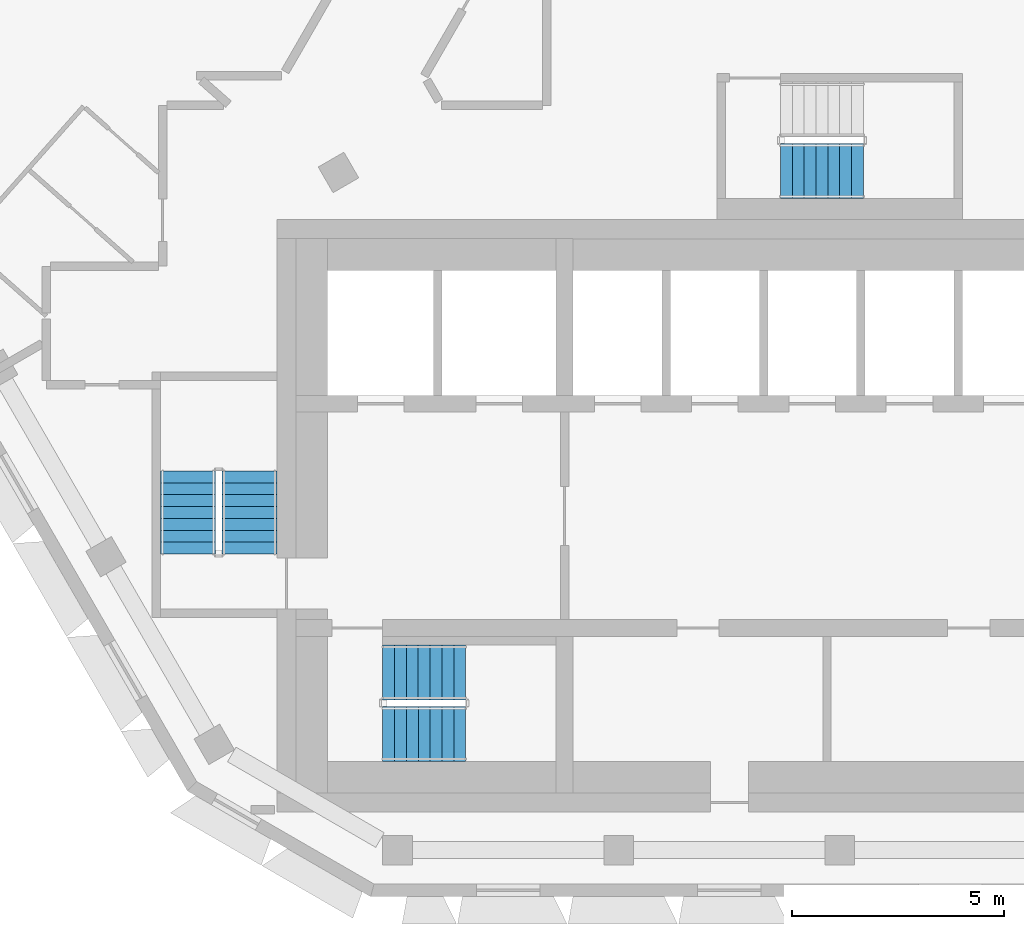
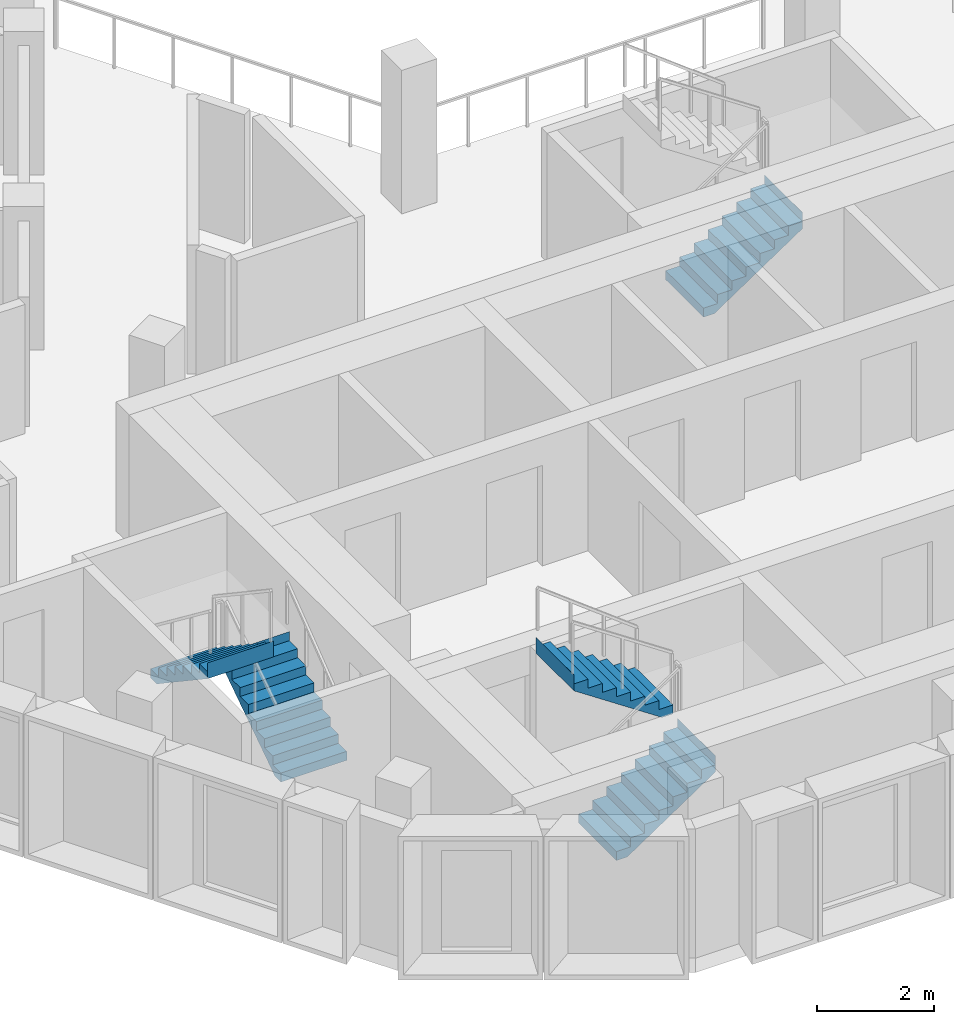
# One storey, part 8 of 14: 5 stair flights, 3 elements without a shape of their own.
"""IFC4 building model written with IfcOpenShell, lengths in metres."""

import ifcopenshell
import ifcopenshell.guid

model = None  # the IFC model being written
_history = None  # IfcOwnerHistory: only IFC2X3 demands one
_inside = {}  # id of a spatial element -> (the spatial element, [elements in it])
_under = {}  # id of a project, library or spatial element -> (it, [spatial elements below it])
_declared = {}  # id of a project -> (the project, [libraries it declares])
_typed = {}  # id of a type object -> (the type object, [elements of that type])
_made_of = {}  # id of a material, layer set ... -> (it, [elements and type objects made of it])


def new_model(schema):
    """Start an empty IFC model of exactly this schema.

    Asked for "IFC4X3", IfcOpenShell would pick the latest addendum, in which some entities
    have other attributes; the version numbers below select the first issue.
    IFC2X3 requires an IfcOwnerHistory on every rooted entity: one is made here for all.
    """
    global model, _history
    if schema == "IFC4X3":
        model = ifcopenshell.file(schema_version=(4, 3, 0, 0))
    else:
        model = ifcopenshell.file(schema=schema)
    _inside.clear()
    _under.clear()
    _declared.clear()
    _typed.clear()
    _made_of.clear()
    _history = None
    if model.schema == "IFC2X3":
        org = make("IfcOrganization", Name="unknown")
        user = make(
            "IfcPersonAndOrganization",
            ThePerson=make("IfcPerson", FamilyName="unknown"),
            TheOrganization=org,
        )
        app = make(
            "IfcApplication",
            ApplicationDeveloper=org,
            Version="unknown",
            ApplicationFullName="unknown",
            ApplicationIdentifier="unknown",
        )
        _history = make(
            "IfcOwnerHistory",
            OwningUser=user,
            OwningApplication=app,
            ChangeAction="ADDED",
            CreationDate=0,
        )
    return model


def make(cls, **values):
    """One entity of the class cls with the attributes given. An attribute that is None is left unset."""
    return model.create_entity(
        cls, **{name: value for name, value in values.items() if value is not None}
    )


def rooted(cls, **values):
    """An entity with a GlobalId (a new one), such as an element, a storey or a relation."""
    return make(cls, GlobalId=ifcopenshell.guid.new(), OwnerHistory=_history, **values)


def si_unit(unit_type, name, prefix=None):
    """IfcSIUnit, for example si_unit("LENGTHUNIT", "METRE", prefix="MILLI")."""
    return make("IfcSIUnit", UnitType=unit_type, Prefix=prefix, Name=name)


def assignment(units):
    """IfcUnitAssignment: the units of a project."""
    return None if units is None else make("IfcUnitAssignment", Units=units)


def point(xyz):
    """IfcCartesianPoint."""
    return None if xyz is None else make("IfcCartesianPoint", Coordinates=xyz)


def direction(xyz):
    """IfcDirection."""
    return None if xyz is None else make("IfcDirection", DirectionRatios=xyz)


def frame(location, z_axis=None, x_axis=None):
    """IfcAxis2Placement3D, a coordinate frame: its origin and axes. An axis left out is left unset."""
    return make(
        "IfcAxis2Placement3D",
        Location=point(location),
        Axis=direction(z_axis),
        RefDirection=direction(x_axis),
    )


def origin():
    """The frame at (0, 0, 0) with its axes left unset."""
    return frame((0.0, 0.0, 0.0))


def place(relative_to, where):
    """IfcLocalPlacement: puts the frame where relative to a parent placement (None: the world)."""
    return make(
        "IfcLocalPlacement", PlacementRelTo=relative_to, RelativePlacement=where
    )


def context(
    kind, dimensions, precision=None, world=None, true_north=None, identifier=None
):
    """IfcGeometricRepresentationContext, for example the 3D "Model" context."""
    return make(
        "IfcGeometricRepresentationContext",
        ContextIdentifier=identifier,
        ContextType=kind,
        CoordinateSpaceDimension=dimensions,
        Precision=precision,
        WorldCoordinateSystem=world,
        TrueNorth=true_north,
    )


def subcontext(parent, identifier, kind, view, scale=None):
    """IfcGeometricRepresentationSubContext, for example "Body" below "Model"."""
    return make(
        "IfcGeometricRepresentationSubContext",
        ContextIdentifier=identifier,
        ContextType=kind,
        ParentContext=parent,
        TargetScale=scale,
        TargetView=view,
    )


def project(units=None, contexts=None):
    """IfcProject with its units and contexts."""
    return rooted(
        "IfcProject",
        Name="project",
        RepresentationContexts=contexts,
        UnitsInContext=assignment(units),
    )


def spatial(cls, under=None, at=None, **own):
    """A site, building, storey or space (cls), placed at a placement, below another one or the project."""
    s = rooted(cls, ObjectPlacement=at, **own)
    if under is not None:
        _under.setdefault(under.id(), (under, []))[1].append(s)
    return s


def point_list(points):
    """IfcCartesianPointList2D or 3D."""
    cls = (
        "IfcCartesianPointList2D" if len(points[0]) == 2 else "IfcCartesianPointList3D"
    )
    return make(cls, CoordList=points)


def triangles(points, corners, closed=None, point_numbers=None):
    """IfcTriangulatedFaceSet: each triangle names its three corners, points numbered from 1."""
    return make(
        "IfcTriangulatedFaceSet",
        Coordinates=point_list(points),
        Closed=closed,
        CoordIndex=corners,
        PnIndex=point_numbers,
    )


def shape(context_of_items, identifier, shape_type, items):
    """IfcShapeRepresentation: the items that make up one representation, for example the "Body"."""
    return make(
        "IfcShapeRepresentation",
        ContextOfItems=context_of_items,
        RepresentationIdentifier=identifier,
        RepresentationType=shape_type,
        Items=items,
    )


def material(Name=None, Category=None):
    """IfcMaterial."""
    return make("IfcMaterial", Name=Name, Category=Category)


def made_of(thing, what):
    """Note that an element or type object is made of a material, layer set ...; save() writes the relation."""
    if what is not None:
        _made_of.setdefault(what.id(), (what, []))[1].append(thing)
    return thing


def type_object(cls, material=None, **own):
    """A type object (cls), such as IfcWallType, which elements share."""
    return made_of(rooted(cls, **own), material)


def element(
    cls,
    number,
    at=None,
    inside=None,
    cuts=None,
    type_object=None,
    material=None,
    context=None,
    identifier="Body",
    shape_type=None,
    held_by="IfcProductDefinitionShape",
    body=None,
    shapes=None,
    **own,
):
    """One element of the class cls, such as IfcWall. Its Tag is "e" and its number.

    at: its placement. inside: the storey or other place that contains it. cuts: it is an
    opening in that element (IfcRelVoidsElement). A single representation is given by context,
    identifier, shape_type and body (its items); several are given by shapes. held_by: the class
    of the entity that holds the representations. save() writes the other relations.
    """
    e = rooted(cls, Tag="e%d" % number, ObjectPlacement=at, **own)
    if body is not None:
        shapes = [shape(context, identifier, shape_type, body)]
    if shapes is not None:
        e.Representation = make(held_by, Representations=shapes)
    if inside is not None:
        _inside.setdefault(inside.id(), (inside, []))[1].append(e)
    if cuts is not None:
        rooted(
            "IfcRelVoidsElement", RelatingBuildingElement=cuts, RelatedOpeningElement=e
        )
    if type_object is not None:
        _typed.setdefault(type_object.id(), (type_object, []))[1].append(e)
    return made_of(e, material)


def aggregate(whole, parts):
    """IfcRelAggregates: a whole, such as a stair, and the parts it consists of."""
    return rooted("IfcRelAggregates", RelatingObject=whole, RelatedObjects=parts)


def save(model, path):
    """Write the relations noted so far, then the file.

    IfcRelAggregates (storeys below a building ...), IfcRelContainedInSpatialStructure (elements
    in a storey), IfcRelDefinesByType, IfcRelAssociatesMaterial and IfcRelDeclares: one each for
    every whole, place, type object, material and project.
    """
    for whole, parts in _under.values():
        aggregate(whole, parts)
    for where, things in _inside.values():
        rooted(
            "IfcRelContainedInSpatialStructure",
            RelatedElements=things,
            RelatingStructure=where,
        )
    for kind, things in _typed.values():
        rooted("IfcRelDefinesByType", RelatedObjects=things, RelatingType=kind)
    for what, things in _made_of.values():
        rooted("IfcRelAssociatesMaterial", RelatedObjects=things, RelatingMaterial=what)
    for by, libraries in _declared.values():
        rooted("IfcRelDeclares", RelatingContext=by, RelatedDefinitions=libraries)
    model.write(path)


model = new_model("IFC4")

# Units and contexts
model_context = context("Model", 3, precision=1e-05, world=origin(), true_north=direction((0.0, 1.0)))
body_context = subcontext(model_context, "Body", "Model", "MODEL_VIEW")
ifc_project = project(units=[si_unit("LENGTHUNIT", "METRE"), si_unit("AREAUNIT", "SQUARE_METRE"), si_unit("VOLUMEUNIT", "CUBIC_METRE"), si_unit("PLANEANGLEUNIT", "RADIAN"), si_unit("MASSUNIT", "GRAM", prefix="KILO")], contexts=[model_context])

# Site, building, storey
site_placement = place(None, origin())
site = spatial("IfcSite", under=ifc_project, at=site_placement, CompositionType="ELEMENT")
building_placement = place(site_placement, origin())
building = spatial("IfcBuilding", under=site, at=building_placement, Name="Beryl Residences", CompositionType="ELEMENT")
storey_placement = place(building_placement, frame((0.0, 0.0, 235.800048828125)))
storey = spatial("IfcBuildingStorey", under=building, at=storey_placement, Name="L73", CompositionType="ELEMENT", Elevation=235.800048828125)

# Stair, stair flights
ifc_material_1 = material(Name="Concrete C40/50", Category="concrete")
stair_type = type_object("IfcStairType", Name="ST1 protected exit stair, half-turn, 1300 mm flights", PredefinedType="HALF_TURN_STAIR", material=ifc_material_1)
stair_1_placement = place(storey_placement, origin())
stair_1 = element("IfcStair", 1, at=stair_1_placement, inside=storey, type_object=stair_type, Name="L73 PROTECTED EXIT STAIR ST-1", PredefinedType="HALF_TURN_STAIR")
ifc_material_2 = material(Name="Concrete C40/50", Category="concrete")
stair_flight_type = type_object("IfcStairFlightType", Name="SF1 stair flight 1300 mm", PredefinedType="STRAIGHT", material=ifc_material_2)
stair_flight_1_placement = place(storey_placement, frame((-10.800048828125, -17.14990234375, 0.0), z_axis=(0.0, 0.0, 1.0), x_axis=(1.0, 0.0, 0.0)))
stair_flight_1 = element("IfcStairFlight", 2, at=stair_flight_1_placement, type_object=stair_flight_type, Name="ST-1 flight 1", NumberOfRisers=8, NumberOfTreads=7, PredefinedType="STRAIGHT", RiserHeight=0.1875, TreadLength=0.28, context=body_context, shape_type="Tessellation", body=[
    triangles([(0.0, -0.64990234375, 0.0), (0.0, -0.324951171875, 0.0), (0.0, 0.0, 0.0), (0.0, 0.324951171875, 0.0), (0.0, 0.64990234375, 0.0), (0.0, -0.64990234375, 0.1875), (0.0, -0.324951171875, 0.1875), (0.0, 0.0, 0.1875), (0.0, 0.324951171875, 0.1875), (0.0, 0.64990234375, 0.1875), (0.280029296875, -0.64990234375, 0.1875), (0.280029296875, -0.324951171875, 0.1875), (0.280029296875, 0.0, 0.1875), (0.280029296875, 0.324951171875, 0.1875), (0.280029296875, 0.64990234375, 0.1875), (0.280029296875, -0.64990234375, 0.375), (0.280029296875, -0.324951171875, 0.375), (0.280029296875, 0.0, 0.375), (0.280029296875, 0.324951171875, 0.375), (0.280029296875, 0.64990234375, 0.375), (0.56005859375, -0.64990234375, 0.375), (0.56005859375, -0.324951171875, 0.375), (0.56005859375, 0.0, 0.375), (0.56005859375, 0.324951171875, 0.375), (0.56005859375, 0.64990234375, 0.375), (0.56005859375, -0.64990234375, 0.5625), (0.56005859375, -0.324951171875, 0.5625), (0.56005859375, 0.0, 0.5625), (0.56005859375, 0.324951171875, 0.5625), (0.56005859375, 0.64990234375, 0.5625), (0.840087890625, -0.64990234375, 0.5625), (0.840087890625, -0.324951171875, 0.5625), (0.840087890625, 0.0, 0.5625), (0.840087890625, 0.324951171875, 0.5625), (0.840087890625, 0.64990234375, 0.5625), (0.840087890625, -0.64990234375, 0.75), (0.840087890625, -0.324951171875, 0.75), (0.840087890625, 0.0, 0.75), (0.840087890625, 0.324951171875, 0.75), (0.840087890625, 0.64990234375, 0.75), (1.1201171875, -0.64990234375, 0.75), (1.1201171875, -0.324951171875, 0.75), (1.1201171875, 0.0, 0.75), (1.1201171875, 0.324951171875, 0.75), (1.1201171875, 0.64990234375, 0.75), (1.1201171875, -0.64990234375, 0.9375), (1.1201171875, -0.324951171875, 0.9375), (1.1201171875, 0.0, 0.9375), (1.1201171875, 0.324951171875, 0.9375), (1.1201171875, 0.64990234375, 0.9375), (1.39990234375, -0.64990234375, 0.9375), (1.39990234375, -0.324951171875, 0.9375), (1.39990234375, 0.0, 0.9375), (1.39990234375, 0.324951171875, 0.9375), (1.39990234375, 0.64990234375, 0.9375), (1.39990234375, -0.64990234375, 1.125), (1.39990234375, -0.324951171875, 1.125), (1.39990234375, 0.0, 1.125), (1.39990234375, 0.324951171875, 1.125), (1.39990234375, 0.64990234375, 1.125), (1.679931640625, -0.64990234375, 1.125), (1.679931640625, -0.324951171875, 1.125), (1.679931640625, 0.0, 1.125), (1.679931640625, 0.324951171875, 1.125), (1.679931640625, 0.64990234375, 1.125), (1.679931640625, -0.64990234375, 1.3125), (1.679931640625, -0.324951171875, 1.3125), (1.679931640625, 0.0, 1.3125), (1.679931640625, 0.324951171875, 1.3125), (1.679931640625, 0.64990234375, 1.3125), (1.9599609375, -0.64990234375, 1.3125), (1.9599609375, -0.324951171875, 1.3125), (1.9599609375, 0.0, 1.3125), (1.9599609375, 0.324951171875, 1.3125), (1.9599609375, 0.64990234375, 1.3125), (1.9599609375, -0.64990234375, 1.5), (1.9599609375, -0.324951171875, 1.5), (1.9599609375, 0.0, 1.5), (1.9599609375, 0.324951171875, 1.5), (1.9599609375, 0.64990234375, 1.5), (1.9609375, -0.64990234375, 1.5), (1.9609375, -0.324951171875, 1.5), (1.9609375, 0.0, 1.5), (1.9609375, 0.324951171875, 1.5), (1.9609375, 0.64990234375, 1.5), (1.9609375, -0.64990234375, 1.16796875), (1.9609375, -0.324951171875, 1.16796875), (1.9609375, 0.0, 1.16796875), (1.9609375, 0.324951171875, 1.16796875), (1.9609375, 0.64990234375, 1.16796875), (0.216796875, -0.64990234375, 0.0), (0.216796875, -0.324951171875, 0.0), (0.216796875, 0.0, 0.0), (0.216796875, 0.324951171875, 0.0), (0.216796875, 0.64990234375, 0.0)], [[1, 6, 7], [1, 7, 2], [2, 7, 8], [2, 8, 3], [3, 8, 9], [3, 9, 4], [4, 9, 10], [4, 10, 5], [6, 11, 12], [6, 12, 7], [7, 12, 13], [7, 13, 8], [8, 13, 14], [8, 14, 9], [9, 14, 15], [9, 15, 10], [11, 16, 17], [11, 17, 12], [12, 17, 18], [12, 18, 13], [13, 18, 19], [13, 19, 14], [14, 19, 20], [14, 20, 15], [16, 21, 22], [16, 22, 17], [17, 22, 23], [17, 23, 18], [18, 23, 24], [18, 24, 19], [19, 24, 25], [19, 25, 20], [21, 26, 27], [21, 27, 22], [22, 27, 28], [22, 28, 23], [23, 28, 29], [23, 29, 24], [24, 29, 30], [24, 30, 25], [26, 31, 32], [26, 32, 27], [27, 32, 33], [27, 33, 28], [28, 33, 34], [28, 34, 29], [29, 34, 35], [29, 35, 30], [31, 36, 37], [31, 37, 32], [32, 37, 38], [32, 38, 33], [33, 38, 39], [33, 39, 34], [34, 39, 40], [34, 40, 35], [36, 41, 42], [36, 42, 37], [37, 42, 43], [37, 43, 38], [38, 43, 44], [38, 44, 39], [39, 44, 45], [39, 45, 40], [41, 46, 47], [41, 47, 42], [42, 47, 48], [42, 48, 43], [43, 48, 49], [43, 49, 44], [44, 49, 50], [44, 50, 45], [46, 51, 52], [46, 52, 47], [47, 52, 53], [47, 53, 48], [48, 53, 54], [48, 54, 49], [49, 54, 55], [49, 55, 50], [51, 56, 57], [51, 57, 52], [52, 57, 58], [52, 58, 53], [53, 58, 59], [53, 59, 54], [54, 59, 60], [54, 60, 55], [56, 61, 62], [56, 62, 57], [57, 62, 63], [57, 63, 58], [58, 63, 64], [58, 64, 59], [59, 64, 65], [59, 65, 60], [61, 66, 67], [61, 67, 62], [62, 67, 68], [62, 68, 63], [63, 68, 69], [63, 69, 64], [64, 69, 70], [64, 70, 65], [66, 71, 72], [66, 72, 67], [67, 72, 73], [67, 73, 68], [68, 73, 74], [68, 74, 69], [69, 74, 75], [69, 75, 70], [71, 76, 77], [71, 77, 72], [72, 77, 78], [72, 78, 73], [73, 78, 79], [73, 79, 74], [74, 79, 80], [74, 80, 75], [76, 81, 82], [76, 82, 77], [77, 82, 83], [77, 83, 78], [78, 83, 84], [78, 84, 79], [79, 84, 85], [79, 85, 80], [81, 86, 87], [81, 87, 82], [82, 87, 88], [82, 88, 83], [83, 88, 89], [83, 89, 84], [84, 89, 90], [84, 90, 85], [86, 91, 92], [86, 92, 87], [87, 92, 93], [87, 93, 88], [88, 93, 94], [88, 94, 89], [89, 94, 95], [89, 95, 90], [91, 1, 2], [91, 2, 92], [92, 2, 3], [92, 3, 93], [93, 3, 4], [93, 4, 94], [94, 4, 5], [94, 5, 95], [1, 91, 86], [5, 90, 95], [86, 81, 76], [90, 80, 85], [86, 76, 71], [90, 75, 80], [86, 71, 66], [90, 70, 75], [86, 66, 61], [90, 65, 70], [61, 56, 51], [65, 55, 60], [86, 61, 51], [90, 55, 65], [51, 46, 41], [55, 45, 50], [86, 51, 41], [90, 45, 55], [41, 36, 31], [45, 35, 40], [86, 41, 31], [90, 35, 45], [31, 26, 21], [35, 25, 30], [86, 31, 21], [90, 25, 35], [21, 16, 11], [25, 15, 20], [86, 21, 11], [90, 15, 25], [1, 86, 11], [5, 15, 90], [11, 6, 1], [15, 5, 10]], closed=True),
])
stair_flight_2_placement = place(storey_placement, frame((-8.840087890625, -15.699951171875, 1.5), z_axis=(0.0, 0.0, 1.0), x_axis=(-1.0, 0.0, 0.0)))
stair_flight_2 = element("IfcStairFlight", 3, at=stair_flight_2_placement, type_object=stair_flight_type, Name="ST-1 flight 2", NumberOfRisers=8, NumberOfTreads=7, PredefinedType="STRAIGHT", RiserHeight=0.1875, TreadLength=0.28, context=body_context, shape_type="Tessellation", body=[
    triangles([(0.0, -0.64990234375, 0.0), (0.0, -0.324951171875, 0.0), (0.0, 0.0, 0.0), (0.0, 0.324951171875, 0.0), (0.0, 0.64990234375, 0.0), (0.0, -0.64990234375, 0.1875), (0.0, -0.324951171875, 0.1875), (0.0, 0.0, 0.1875), (0.0, 0.324951171875, 0.1875), (0.0, 0.64990234375, 0.1875), (0.280029296875, -0.64990234375, 0.1875), (0.280029296875, -0.324951171875, 0.1875), (0.280029296875, 0.0, 0.1875), (0.280029296875, 0.324951171875, 0.1875), (0.280029296875, 0.64990234375, 0.1875), (0.280029296875, -0.64990234375, 0.375), (0.280029296875, -0.324951171875, 0.375), (0.280029296875, 0.0, 0.375), (0.280029296875, 0.324951171875, 0.375), (0.280029296875, 0.64990234375, 0.375), (0.56005859375, -0.64990234375, 0.375), (0.56005859375, -0.324951171875, 0.375), (0.56005859375, 0.0, 0.375), (0.56005859375, 0.324951171875, 0.375), (0.56005859375, 0.64990234375, 0.375), (0.56005859375, -0.64990234375, 0.5625), (0.56005859375, -0.324951171875, 0.5625), (0.56005859375, 0.0, 0.5625), (0.56005859375, 0.324951171875, 0.5625), (0.56005859375, 0.64990234375, 0.5625), (0.840087890625, -0.64990234375, 0.5625), (0.840087890625, -0.324951171875, 0.5625), (0.840087890625, 0.0, 0.5625), (0.840087890625, 0.324951171875, 0.5625), (0.840087890625, 0.64990234375, 0.5625), (0.840087890625, -0.64990234375, 0.75), (0.840087890625, -0.324951171875, 0.75), (0.840087890625, 0.0, 0.75), (0.840087890625, 0.324951171875, 0.75), (0.840087890625, 0.64990234375, 0.75), (1.1201171875, -0.64990234375, 0.75), (1.1201171875, -0.324951171875, 0.75), (1.1201171875, 0.0, 0.75), (1.1201171875, 0.324951171875, 0.75), (1.1201171875, 0.64990234375, 0.75), (1.1201171875, -0.64990234375, 0.9375), (1.1201171875, -0.324951171875, 0.9375), (1.1201171875, 0.0, 0.9375), (1.1201171875, 0.324951171875, 0.9375), (1.1201171875, 0.64990234375, 0.9375), (1.39990234375, -0.64990234375, 0.9375), (1.39990234375, -0.324951171875, 0.9375), (1.39990234375, 0.0, 0.9375), (1.39990234375, 0.324951171875, 0.9375), (1.39990234375, 0.64990234375, 0.9375), (1.39990234375, -0.64990234375, 1.125), (1.39990234375, -0.324951171875, 1.125), (1.39990234375, 0.0, 1.125), (1.39990234375, 0.324951171875, 1.125), (1.39990234375, 0.64990234375, 1.125), (1.679931640625, -0.64990234375, 1.125), (1.679931640625, -0.324951171875, 1.125), (1.679931640625, 0.0, 1.125), (1.679931640625, 0.324951171875, 1.125), (1.679931640625, 0.64990234375, 1.125), (1.679931640625, -0.64990234375, 1.3125), (1.679931640625, -0.324951171875, 1.3125), (1.679931640625, 0.0, 1.3125), (1.679931640625, 0.324951171875, 1.3125), (1.679931640625, 0.64990234375, 1.3125), (1.9599609375, -0.64990234375, 1.3125), (1.9599609375, -0.324951171875, 1.3125), (1.9599609375, 0.0, 1.3125), (1.9599609375, 0.324951171875, 1.3125), (1.9599609375, 0.64990234375, 1.3125), (1.9599609375, -0.64990234375, 1.5), (1.9599609375, -0.324951171875, 1.5), (1.9599609375, 0.0, 1.5), (1.9599609375, 0.324951171875, 1.5), (1.9599609375, 0.64990234375, 1.5), (1.9609375, -0.64990234375, 1.5), (1.9609375, -0.324951171875, 1.5), (1.9609375, 0.0, 1.5), (1.9609375, 0.324951171875, 1.5), (1.9609375, 0.64990234375, 1.5), (1.9609375, -0.64990234375, 1.16796875), (1.9609375, -0.324951171875, 1.16796875), (1.9609375, 0.0, 1.16796875), (1.9609375, 0.324951171875, 1.16796875), (1.9609375, 0.64990234375, 1.16796875), (0.216796875, -0.64990234375, 0.0), (0.216796875, -0.324951171875, 0.0), (0.216796875, 0.0, 0.0), (0.216796875, 0.324951171875, 0.0), (0.216796875, 0.64990234375, 0.0)], [[1, 6, 7], [1, 7, 2], [2, 7, 8], [2, 8, 3], [3, 8, 9], [3, 9, 4], [4, 9, 10], [4, 10, 5], [6, 11, 12], [6, 12, 7], [7, 12, 13], [7, 13, 8], [8, 13, 14], [8, 14, 9], [9, 14, 15], [9, 15, 10], [11, 16, 17], [11, 17, 12], [12, 17, 18], [12, 18, 13], [13, 18, 19], [13, 19, 14], [14, 19, 20], [14, 20, 15], [16, 21, 22], [16, 22, 17], [17, 22, 23], [17, 23, 18], [18, 23, 24], [18, 24, 19], [19, 24, 25], [19, 25, 20], [21, 26, 27], [21, 27, 22], [22, 27, 28], [22, 28, 23], [23, 28, 29], [23, 29, 24], [24, 29, 30], [24, 30, 25], [26, 31, 32], [26, 32, 27], [27, 32, 33], [27, 33, 28], [28, 33, 34], [28, 34, 29], [29, 34, 35], [29, 35, 30], [31, 36, 37], [31, 37, 32], [32, 37, 38], [32, 38, 33], [33, 38, 39], [33, 39, 34], [34, 39, 40], [34, 40, 35], [36, 41, 42], [36, 42, 37], [37, 42, 43], [37, 43, 38], [38, 43, 44], [38, 44, 39], [39, 44, 45], [39, 45, 40], [41, 46, 47], [41, 47, 42], [42, 47, 48], [42, 48, 43], [43, 48, 49], [43, 49, 44], [44, 49, 50], [44, 50, 45], [46, 51, 52], [46, 52, 47], [47, 52, 53], [47, 53, 48], [48, 53, 54], [48, 54, 49], [49, 54, 55], [49, 55, 50], [51, 56, 57], [51, 57, 52], [52, 57, 58], [52, 58, 53], [53, 58, 59], [53, 59, 54], [54, 59, 60], [54, 60, 55], [56, 61, 62], [56, 62, 57], [57, 62, 63], [57, 63, 58], [58, 63, 64], [58, 64, 59], [59, 64, 65], [59, 65, 60], [61, 66, 67], [61, 67, 62], [62, 67, 68], [62, 68, 63], [63, 68, 69], [63, 69, 64], [64, 69, 70], [64, 70, 65], [66, 71, 72], [66, 72, 67], [67, 72, 73], [67, 73, 68], [68, 73, 74], [68, 74, 69], [69, 74, 75], [69, 75, 70], [71, 76, 77], [71, 77, 72], [72, 77, 78], [72, 78, 73], [73, 78, 79], [73, 79, 74], [74, 79, 80], [74, 80, 75], [76, 81, 82], [76, 82, 77], [77, 82, 83], [77, 83, 78], [78, 83, 84], [78, 84, 79], [79, 84, 85], [79, 85, 80], [81, 86, 87], [81, 87, 82], [82, 87, 88], [82, 88, 83], [83, 88, 89], [83, 89, 84], [84, 89, 90], [84, 90, 85], [86, 91, 92], [86, 92, 87], [87, 92, 93], [87, 93, 88], [88, 93, 94], [88, 94, 89], [89, 94, 95], [89, 95, 90], [91, 1, 2], [91, 2, 92], [92, 2, 3], [92, 3, 93], [93, 3, 4], [93, 4, 94], [94, 4, 5], [94, 5, 95], [1, 91, 86], [5, 90, 95], [86, 81, 76], [90, 80, 85], [86, 76, 71], [90, 75, 80], [86, 71, 66], [90, 70, 75], [86, 66, 61], [90, 65, 70], [61, 56, 51], [65, 55, 60], [86, 61, 51], [90, 55, 65], [51, 46, 41], [55, 45, 50], [86, 51, 41], [90, 45, 55], [41, 36, 31], [45, 35, 40], [86, 41, 31], [90, 35, 45], [31, 26, 21], [35, 25, 30], [86, 31, 21], [90, 25, 35], [21, 16, 11], [25, 15, 20], [86, 21, 11], [90, 15, 25], [1, 86, 11], [5, 15, 90], [11, 6, 1], [15, 5, 10]], closed=True),
])
aggregate(stair_1, [stair_flight_1, stair_flight_2])

stair_2_placement = place(storey_placement, origin())
stair_2 = element("IfcStair", 4, at=stair_2_placement, inside=storey, type_object=stair_type, Name="L73 PROTECTED EXIT STAIR ST-2", PredefinedType="HALF_TURN_STAIR")
stair_flight_3_placement = place(storey_placement, frame((-13.949951171875, -12.89990234375, 0.0), z_axis=(0.0, 0.0, 1.0), x_axis=(0.0, 1.0, 0.0)))
stair_flight_3 = element("IfcStairFlight", 5, at=stair_flight_3_placement, type_object=stair_flight_type, Name="ST-2 flight 1", NumberOfRisers=8, NumberOfTreads=7, PredefinedType="STRAIGHT", RiserHeight=0.1875, TreadLength=0.28, context=body_context, shape_type="Tessellation", body=[
    triangles([(0.0, -0.64990234375, 0.0), (0.0, -0.324951171875, 0.0), (0.0, 0.0, 0.0), (0.0, 0.324951171875, 0.0), (0.0, 0.64990234375, 0.0), (0.0, -0.64990234375, 0.1875), (0.0, -0.324951171875, 0.1875), (0.0, 0.0, 0.1875), (0.0, 0.324951171875, 0.1875), (0.0, 0.64990234375, 0.1875), (0.280029296875, -0.64990234375, 0.1875), (0.280029296875, -0.324951171875, 0.1875), (0.280029296875, 0.0, 0.1875), (0.280029296875, 0.324951171875, 0.1875), (0.280029296875, 0.64990234375, 0.1875), (0.280029296875, -0.64990234375, 0.375), (0.280029296875, -0.324951171875, 0.375), (0.280029296875, 0.0, 0.375), (0.280029296875, 0.324951171875, 0.375), (0.280029296875, 0.64990234375, 0.375), (0.56005859375, -0.64990234375, 0.375), (0.56005859375, -0.324951171875, 0.375), (0.56005859375, 0.0, 0.375), (0.56005859375, 0.324951171875, 0.375), (0.56005859375, 0.64990234375, 0.375), (0.56005859375, -0.64990234375, 0.5625), (0.56005859375, -0.324951171875, 0.5625), (0.56005859375, 0.0, 0.5625), (0.56005859375, 0.324951171875, 0.5625), (0.56005859375, 0.64990234375, 0.5625), (0.840087890625, -0.64990234375, 0.5625), (0.840087890625, -0.324951171875, 0.5625), (0.840087890625, 0.0, 0.5625), (0.840087890625, 0.324951171875, 0.5625), (0.840087890625, 0.64990234375, 0.5625), (0.840087890625, -0.64990234375, 0.75), (0.840087890625, -0.324951171875, 0.75), (0.840087890625, 0.0, 0.75), (0.840087890625, 0.324951171875, 0.75), (0.840087890625, 0.64990234375, 0.75), (1.1201171875, -0.64990234375, 0.75), (1.1201171875, -0.324951171875, 0.75), (1.1201171875, 0.0, 0.75), (1.1201171875, 0.324951171875, 0.75), (1.1201171875, 0.64990234375, 0.75), (1.1201171875, -0.64990234375, 0.9375), (1.1201171875, -0.324951171875, 0.9375), (1.1201171875, 0.0, 0.9375), (1.1201171875, 0.324951171875, 0.9375), (1.1201171875, 0.64990234375, 0.9375), (1.39990234375, -0.64990234375, 0.9375), (1.39990234375, -0.324951171875, 0.9375), (1.39990234375, 0.0, 0.9375), (1.39990234375, 0.324951171875, 0.9375), (1.39990234375, 0.64990234375, 0.9375), (1.39990234375, -0.64990234375, 1.125), (1.39990234375, -0.324951171875, 1.125), (1.39990234375, 0.0, 1.125), (1.39990234375, 0.324951171875, 1.125), (1.39990234375, 0.64990234375, 1.125), (1.679931640625, -0.64990234375, 1.125), (1.679931640625, -0.324951171875, 1.125), (1.679931640625, 0.0, 1.125), (1.679931640625, 0.324951171875, 1.125), (1.679931640625, 0.64990234375, 1.125), (1.679931640625, -0.64990234375, 1.3125), (1.679931640625, -0.324951171875, 1.3125), (1.679931640625, 0.0, 1.3125), (1.679931640625, 0.324951171875, 1.3125), (1.679931640625, 0.64990234375, 1.3125), (1.9599609375, -0.64990234375, 1.3125), (1.9599609375, -0.324951171875, 1.3125), (1.9599609375, 0.0, 1.3125), (1.9599609375, 0.324951171875, 1.3125), (1.9599609375, 0.64990234375, 1.3125), (1.9599609375, -0.64990234375, 1.5), (1.9599609375, -0.324951171875, 1.5), (1.9599609375, 0.0, 1.5), (1.9599609375, 0.324951171875, 1.5), (1.9599609375, 0.64990234375, 1.5), (1.9609375, -0.64990234375, 1.5), (1.9609375, -0.324951171875, 1.5), (1.9609375, 0.0, 1.5), (1.9609375, 0.324951171875, 1.5), (1.9609375, 0.64990234375, 1.5), (1.9609375, -0.64990234375, 1.16796875), (1.9609375, -0.324951171875, 1.16796875), (1.9609375, 0.0, 1.16796875), (1.9609375, 0.324951171875, 1.16796875), (1.9609375, 0.64990234375, 1.16796875), (0.216796875, -0.64990234375, 0.0), (0.216796875, -0.324951171875, 0.0), (0.216796875, 0.0, 0.0), (0.216796875, 0.324951171875, 0.0), (0.216796875, 0.64990234375, 0.0)], [[1, 6, 7], [1, 7, 2], [2, 7, 8], [2, 8, 3], [3, 8, 9], [3, 9, 4], [4, 9, 10], [4, 10, 5], [6, 11, 12], [6, 12, 7], [7, 12, 13], [7, 13, 8], [8, 13, 14], [8, 14, 9], [9, 14, 15], [9, 15, 10], [11, 16, 17], [11, 17, 12], [12, 17, 18], [12, 18, 13], [13, 18, 19], [13, 19, 14], [14, 19, 20], [14, 20, 15], [16, 21, 22], [16, 22, 17], [17, 22, 23], [17, 23, 18], [18, 23, 24], [18, 24, 19], [19, 24, 25], [19, 25, 20], [21, 26, 27], [21, 27, 22], [22, 27, 28], [22, 28, 23], [23, 28, 29], [23, 29, 24], [24, 29, 30], [24, 30, 25], [26, 31, 32], [26, 32, 27], [27, 32, 33], [27, 33, 28], [28, 33, 34], [28, 34, 29], [29, 34, 35], [29, 35, 30], [31, 36, 37], [31, 37, 32], [32, 37, 38], [32, 38, 33], [33, 38, 39], [33, 39, 34], [34, 39, 40], [34, 40, 35], [36, 41, 42], [36, 42, 37], [37, 42, 43], [37, 43, 38], [38, 43, 44], [38, 44, 39], [39, 44, 45], [39, 45, 40], [41, 46, 47], [41, 47, 42], [42, 47, 48], [42, 48, 43], [43, 48, 49], [43, 49, 44], [44, 49, 50], [44, 50, 45], [46, 51, 52], [46, 52, 47], [47, 52, 53], [47, 53, 48], [48, 53, 54], [48, 54, 49], [49, 54, 55], [49, 55, 50], [51, 56, 57], [51, 57, 52], [52, 57, 58], [52, 58, 53], [53, 58, 59], [53, 59, 54], [54, 59, 60], [54, 60, 55], [56, 61, 62], [56, 62, 57], [57, 62, 63], [57, 63, 58], [58, 63, 64], [58, 64, 59], [59, 64, 65], [59, 65, 60], [61, 66, 67], [61, 67, 62], [62, 67, 68], [62, 68, 63], [63, 68, 69], [63, 69, 64], [64, 69, 70], [64, 70, 65], [66, 71, 72], [66, 72, 67], [67, 72, 73], [67, 73, 68], [68, 73, 74], [68, 74, 69], [69, 74, 75], [69, 75, 70], [71, 76, 77], [71, 77, 72], [72, 77, 78], [72, 78, 73], [73, 78, 79], [73, 79, 74], [74, 79, 80], [74, 80, 75], [76, 81, 82], [76, 82, 77], [77, 82, 83], [77, 83, 78], [78, 83, 84], [78, 84, 79], [79, 84, 85], [79, 85, 80], [81, 86, 87], [81, 87, 82], [82, 87, 88], [82, 88, 83], [83, 88, 89], [83, 89, 84], [84, 89, 90], [84, 90, 85], [86, 91, 92], [86, 92, 87], [87, 92, 93], [87, 93, 88], [88, 93, 94], [88, 94, 89], [89, 94, 95], [89, 95, 90], [91, 1, 2], [91, 2, 92], [92, 2, 3], [92, 3, 93], [93, 3, 4], [93, 4, 94], [94, 4, 5], [94, 5, 95], [1, 91, 86], [5, 90, 95], [86, 81, 76], [90, 80, 85], [86, 76, 71], [90, 75, 80], [86, 71, 66], [90, 70, 75], [86, 66, 61], [90, 65, 70], [61, 56, 51], [65, 55, 60], [86, 61, 51], [90, 55, 65], [51, 46, 41], [55, 45, 50], [86, 51, 41], [90, 45, 55], [41, 36, 31], [45, 35, 40], [86, 41, 31], [90, 35, 45], [31, 26, 21], [35, 25, 30], [86, 31, 21], [90, 25, 35], [21, 16, 11], [25, 15, 20], [86, 21, 11], [90, 15, 25], [1, 86, 11], [5, 15, 90], [11, 6, 1], [15, 5, 10]], closed=True),
])
stair_flight_4_placement = place(storey_placement, frame((-15.39990234375, -10.93994140625, 1.5), z_axis=(0.0, 0.0, 1.0), x_axis=(0.0, -1.0, 0.0)))
stair_flight_4 = element("IfcStairFlight", 6, at=stair_flight_4_placement, type_object=stair_flight_type, Name="ST-2 flight 2", NumberOfRisers=8, NumberOfTreads=7, PredefinedType="STRAIGHT", RiserHeight=0.1875, TreadLength=0.28, context=body_context, shape_type="Tessellation", body=[
    triangles([(0.0, -0.64990234375, 0.0), (0.0, -0.324951171875, 0.0), (0.0, 0.0, 0.0), (0.0, 0.324951171875, 0.0), (0.0, 0.64990234375, 0.0), (0.0, -0.64990234375, 0.1875), (0.0, -0.324951171875, 0.1875), (0.0, 0.0, 0.1875), (0.0, 0.324951171875, 0.1875), (0.0, 0.64990234375, 0.1875), (0.280029296875, -0.64990234375, 0.1875), (0.280029296875, -0.324951171875, 0.1875), (0.280029296875, 0.0, 0.1875), (0.280029296875, 0.324951171875, 0.1875), (0.280029296875, 0.64990234375, 0.1875), (0.280029296875, -0.64990234375, 0.375), (0.280029296875, -0.324951171875, 0.375), (0.280029296875, 0.0, 0.375), (0.280029296875, 0.324951171875, 0.375), (0.280029296875, 0.64990234375, 0.375), (0.56005859375, -0.64990234375, 0.375), (0.56005859375, -0.324951171875, 0.375), (0.56005859375, 0.0, 0.375), (0.56005859375, 0.324951171875, 0.375), (0.56005859375, 0.64990234375, 0.375), (0.56005859375, -0.64990234375, 0.5625), (0.56005859375, -0.324951171875, 0.5625), (0.56005859375, 0.0, 0.5625), (0.56005859375, 0.324951171875, 0.5625), (0.56005859375, 0.64990234375, 0.5625), (0.840087890625, -0.64990234375, 0.5625), (0.840087890625, -0.324951171875, 0.5625), (0.840087890625, 0.0, 0.5625), (0.840087890625, 0.324951171875, 0.5625), (0.840087890625, 0.64990234375, 0.5625), (0.840087890625, -0.64990234375, 0.75), (0.840087890625, -0.324951171875, 0.75), (0.840087890625, 0.0, 0.75), (0.840087890625, 0.324951171875, 0.75), (0.840087890625, 0.64990234375, 0.75), (1.1201171875, -0.64990234375, 0.75), (1.1201171875, -0.324951171875, 0.75), (1.1201171875, 0.0, 0.75), (1.1201171875, 0.324951171875, 0.75), (1.1201171875, 0.64990234375, 0.75), (1.1201171875, -0.64990234375, 0.9375), (1.1201171875, -0.324951171875, 0.9375), (1.1201171875, 0.0, 0.9375), (1.1201171875, 0.324951171875, 0.9375), (1.1201171875, 0.64990234375, 0.9375), (1.39990234375, -0.64990234375, 0.9375), (1.39990234375, -0.324951171875, 0.9375), (1.39990234375, 0.0, 0.9375), (1.39990234375, 0.324951171875, 0.9375), (1.39990234375, 0.64990234375, 0.9375), (1.39990234375, -0.64990234375, 1.125), (1.39990234375, -0.324951171875, 1.125), (1.39990234375, 0.0, 1.125), (1.39990234375, 0.324951171875, 1.125), (1.39990234375, 0.64990234375, 1.125), (1.679931640625, -0.64990234375, 1.125), (1.679931640625, -0.324951171875, 1.125), (1.679931640625, 0.0, 1.125), (1.679931640625, 0.324951171875, 1.125), (1.679931640625, 0.64990234375, 1.125), (1.679931640625, -0.64990234375, 1.3125), (1.679931640625, -0.324951171875, 1.3125), (1.679931640625, 0.0, 1.3125), (1.679931640625, 0.324951171875, 1.3125), (1.679931640625, 0.64990234375, 1.3125), (1.9599609375, -0.64990234375, 1.3125), (1.9599609375, -0.324951171875, 1.3125), (1.9599609375, 0.0, 1.3125), (1.9599609375, 0.324951171875, 1.3125), (1.9599609375, 0.64990234375, 1.3125), (1.9599609375, -0.64990234375, 1.5), (1.9599609375, -0.324951171875, 1.5), (1.9599609375, 0.0, 1.5), (1.9599609375, 0.324951171875, 1.5), (1.9599609375, 0.64990234375, 1.5), (1.9609375, -0.64990234375, 1.5), (1.9609375, -0.324951171875, 1.5), (1.9609375, 0.0, 1.5), (1.9609375, 0.324951171875, 1.5), (1.9609375, 0.64990234375, 1.5), (1.9609375, -0.64990234375, 1.16796875), (1.9609375, -0.324951171875, 1.16796875), (1.9609375, 0.0, 1.16796875), (1.9609375, 0.324951171875, 1.16796875), (1.9609375, 0.64990234375, 1.16796875), (0.216796875, -0.64990234375, 0.0), (0.216796875, -0.324951171875, 0.0), (0.216796875, 0.0, 0.0), (0.216796875, 0.324951171875, 0.0), (0.216796875, 0.64990234375, 0.0)], [[1, 6, 7], [1, 7, 2], [2, 7, 8], [2, 8, 3], [3, 8, 9], [3, 9, 4], [4, 9, 10], [4, 10, 5], [6, 11, 12], [6, 12, 7], [7, 12, 13], [7, 13, 8], [8, 13, 14], [8, 14, 9], [9, 14, 15], [9, 15, 10], [11, 16, 17], [11, 17, 12], [12, 17, 18], [12, 18, 13], [13, 18, 19], [13, 19, 14], [14, 19, 20], [14, 20, 15], [16, 21, 22], [16, 22, 17], [17, 22, 23], [17, 23, 18], [18, 23, 24], [18, 24, 19], [19, 24, 25], [19, 25, 20], [21, 26, 27], [21, 27, 22], [22, 27, 28], [22, 28, 23], [23, 28, 29], [23, 29, 24], [24, 29, 30], [24, 30, 25], [26, 31, 32], [26, 32, 27], [27, 32, 33], [27, 33, 28], [28, 33, 34], [28, 34, 29], [29, 34, 35], [29, 35, 30], [31, 36, 37], [31, 37, 32], [32, 37, 38], [32, 38, 33], [33, 38, 39], [33, 39, 34], [34, 39, 40], [34, 40, 35], [36, 41, 42], [36, 42, 37], [37, 42, 43], [37, 43, 38], [38, 43, 44], [38, 44, 39], [39, 44, 45], [39, 45, 40], [41, 46, 47], [41, 47, 42], [42, 47, 48], [42, 48, 43], [43, 48, 49], [43, 49, 44], [44, 49, 50], [44, 50, 45], [46, 51, 52], [46, 52, 47], [47, 52, 53], [47, 53, 48], [48, 53, 54], [48, 54, 49], [49, 54, 55], [49, 55, 50], [51, 56, 57], [51, 57, 52], [52, 57, 58], [52, 58, 53], [53, 58, 59], [53, 59, 54], [54, 59, 60], [54, 60, 55], [56, 61, 62], [56, 62, 57], [57, 62, 63], [57, 63, 58], [58, 63, 64], [58, 64, 59], [59, 64, 65], [59, 65, 60], [61, 66, 67], [61, 67, 62], [62, 67, 68], [62, 68, 63], [63, 68, 69], [63, 69, 64], [64, 69, 70], [64, 70, 65], [66, 71, 72], [66, 72, 67], [67, 72, 73], [67, 73, 68], [68, 73, 74], [68, 74, 69], [69, 74, 75], [69, 75, 70], [71, 76, 77], [71, 77, 72], [72, 77, 78], [72, 78, 73], [73, 78, 79], [73, 79, 74], [74, 79, 80], [74, 80, 75], [76, 81, 82], [76, 82, 77], [77, 82, 83], [77, 83, 78], [78, 83, 84], [78, 84, 79], [79, 84, 85], [79, 85, 80], [81, 86, 87], [81, 87, 82], [82, 87, 88], [82, 88, 83], [83, 88, 89], [83, 89, 84], [84, 89, 90], [84, 90, 85], [86, 91, 92], [86, 92, 87], [87, 92, 93], [87, 93, 88], [88, 93, 94], [88, 94, 89], [89, 94, 95], [89, 95, 90], [91, 1, 2], [91, 2, 92], [92, 2, 3], [92, 3, 93], [93, 3, 4], [93, 4, 94], [94, 4, 5], [94, 5, 95], [1, 91, 86], [5, 90, 95], [86, 81, 76], [90, 80, 85], [86, 76, 71], [90, 75, 80], [86, 71, 66], [90, 70, 75], [86, 66, 61], [90, 65, 70], [61, 56, 51], [65, 55, 60], [86, 61, 51], [90, 55, 65], [51, 46, 41], [55, 45, 50], [86, 51, 41], [90, 45, 55], [41, 36, 31], [45, 35, 40], [86, 41, 31], [90, 35, 45], [31, 26, 21], [35, 25, 30], [86, 31, 21], [90, 25, 35], [21, 16, 11], [25, 15, 20], [86, 21, 11], [90, 15, 25], [1, 86, 11], [5, 15, 90], [11, 6, 1], [15, 5, 10]], closed=True),
])
aggregate(stair_2, [stair_flight_3, stair_flight_4])

# Stair, stair flight
stair_3_placement = place(storey_placement, origin())
stair_3 = element("IfcStair", 7, at=stair_3_placement, inside=storey, type_object=stair_type, Name="L73 PROTECTED EXIT STAIR ST-4", PredefinedType="HALF_TURN_STAIR")
stair_flight_5_placement = place(storey_placement, frame((-1.39990234375, -3.85009765625, 0.0), z_axis=(0.0, 0.0, 1.0), x_axis=(1.0, 0.0, 0.0)))
stair_flight_5 = element("IfcStairFlight", 8, at=stair_flight_5_placement, type_object=stair_flight_type, Name="ST-4 flight 1", NumberOfRisers=8, NumberOfTreads=7, PredefinedType="STRAIGHT", RiserHeight=0.1875, TreadLength=0.28, context=body_context, shape_type="Tessellation", body=[
    triangles([(0.0, -0.64990234375, 0.0), (0.0, -0.324951171875, 0.0), (0.0, 0.0, 0.0), (0.0, 0.324951171875, 0.0), (0.0, 0.64990234375, 0.0), (0.0, -0.64990234375, 0.1875), (0.0, -0.324951171875, 0.1875), (0.0, 0.0, 0.1875), (0.0, 0.324951171875, 0.1875), (0.0, 0.64990234375, 0.1875), (0.280029296875, -0.64990234375, 0.1875), (0.280029296875, -0.324951171875, 0.1875), (0.280029296875, 0.0, 0.1875), (0.280029296875, 0.324951171875, 0.1875), (0.280029296875, 0.64990234375, 0.1875), (0.280029296875, -0.64990234375, 0.375), (0.280029296875, -0.324951171875, 0.375), (0.280029296875, 0.0, 0.375), (0.280029296875, 0.324951171875, 0.375), (0.280029296875, 0.64990234375, 0.375), (0.56005859375, -0.64990234375, 0.375), (0.56005859375, -0.324951171875, 0.375), (0.56005859375, 0.0, 0.375), (0.56005859375, 0.324951171875, 0.375), (0.56005859375, 0.64990234375, 0.375), (0.56005859375, -0.64990234375, 0.5625), (0.56005859375, -0.324951171875, 0.5625), (0.56005859375, 0.0, 0.5625), (0.56005859375, 0.324951171875, 0.5625), (0.56005859375, 0.64990234375, 0.5625), (0.840087890625, -0.64990234375, 0.5625), (0.840087890625, -0.324951171875, 0.5625), (0.840087890625, 0.0, 0.5625), (0.840087890625, 0.324951171875, 0.5625), (0.840087890625, 0.64990234375, 0.5625), (0.840087890625, -0.64990234375, 0.75), (0.840087890625, -0.324951171875, 0.75), (0.840087890625, 0.0, 0.75), (0.840087890625, 0.324951171875, 0.75), (0.840087890625, 0.64990234375, 0.75), (1.1201171875, -0.64990234375, 0.75), (1.1201171875, -0.324951171875, 0.75), (1.1201171875, 0.0, 0.75), (1.1201171875, 0.324951171875, 0.75), (1.1201171875, 0.64990234375, 0.75), (1.1201171875, -0.64990234375, 0.9375), (1.1201171875, -0.324951171875, 0.9375), (1.1201171875, 0.0, 0.9375), (1.1201171875, 0.324951171875, 0.9375), (1.1201171875, 0.64990234375, 0.9375), (1.39990234375, -0.64990234375, 0.9375), (1.39990234375, -0.324951171875, 0.9375), (1.39990234375, 0.0, 0.9375), (1.39990234375, 0.324951171875, 0.9375), (1.39990234375, 0.64990234375, 0.9375), (1.39990234375, -0.64990234375, 1.125), (1.39990234375, -0.324951171875, 1.125), (1.39990234375, 0.0, 1.125), (1.39990234375, 0.324951171875, 1.125), (1.39990234375, 0.64990234375, 1.125), (1.679931640625, -0.64990234375, 1.125), (1.679931640625, -0.324951171875, 1.125), (1.679931640625, 0.0, 1.125), (1.679931640625, 0.324951171875, 1.125), (1.679931640625, 0.64990234375, 1.125), (1.679931640625, -0.64990234375, 1.3125), (1.679931640625, -0.324951171875, 1.3125), (1.679931640625, 0.0, 1.3125), (1.679931640625, 0.324951171875, 1.3125), (1.679931640625, 0.64990234375, 1.3125), (1.9599609375, -0.64990234375, 1.3125), (1.9599609375, -0.324951171875, 1.3125), (1.9599609375, 0.0, 1.3125), (1.9599609375, 0.324951171875, 1.3125), (1.9599609375, 0.64990234375, 1.3125), (1.9599609375, -0.64990234375, 1.5), (1.9599609375, -0.324951171875, 1.5), (1.9599609375, 0.0, 1.5), (1.9599609375, 0.324951171875, 1.5), (1.9599609375, 0.64990234375, 1.5), (1.9609375, -0.64990234375, 1.5), (1.9609375, -0.324951171875, 1.5), (1.9609375, 0.0, 1.5), (1.9609375, 0.324951171875, 1.5), (1.9609375, 0.64990234375, 1.5), (1.9609375, -0.64990234375, 1.16796875), (1.9609375, -0.324951171875, 1.16796875), (1.9609375, 0.0, 1.16796875), (1.9609375, 0.324951171875, 1.16796875), (1.9609375, 0.64990234375, 1.16796875), (0.216796875, -0.64990234375, 0.0), (0.216796875, -0.324951171875, 0.0), (0.216796875, 0.0, 0.0), (0.216796875, 0.324951171875, 0.0), (0.216796875, 0.64990234375, 0.0)], [[1, 6, 7], [1, 7, 2], [2, 7, 8], [2, 8, 3], [3, 8, 9], [3, 9, 4], [4, 9, 10], [4, 10, 5], [6, 11, 12], [6, 12, 7], [7, 12, 13], [7, 13, 8], [8, 13, 14], [8, 14, 9], [9, 14, 15], [9, 15, 10], [11, 16, 17], [11, 17, 12], [12, 17, 18], [12, 18, 13], [13, 18, 19], [13, 19, 14], [14, 19, 20], [14, 20, 15], [16, 21, 22], [16, 22, 17], [17, 22, 23], [17, 23, 18], [18, 23, 24], [18, 24, 19], [19, 24, 25], [19, 25, 20], [21, 26, 27], [21, 27, 22], [22, 27, 28], [22, 28, 23], [23, 28, 29], [23, 29, 24], [24, 29, 30], [24, 30, 25], [26, 31, 32], [26, 32, 27], [27, 32, 33], [27, 33, 28], [28, 33, 34], [28, 34, 29], [29, 34, 35], [29, 35, 30], [31, 36, 37], [31, 37, 32], [32, 37, 38], [32, 38, 33], [33, 38, 39], [33, 39, 34], [34, 39, 40], [34, 40, 35], [36, 41, 42], [36, 42, 37], [37, 42, 43], [37, 43, 38], [38, 43, 44], [38, 44, 39], [39, 44, 45], [39, 45, 40], [41, 46, 47], [41, 47, 42], [42, 47, 48], [42, 48, 43], [43, 48, 49], [43, 49, 44], [44, 49, 50], [44, 50, 45], [46, 51, 52], [46, 52, 47], [47, 52, 53], [47, 53, 48], [48, 53, 54], [48, 54, 49], [49, 54, 55], [49, 55, 50], [51, 56, 57], [51, 57, 52], [52, 57, 58], [52, 58, 53], [53, 58, 59], [53, 59, 54], [54, 59, 60], [54, 60, 55], [56, 61, 62], [56, 62, 57], [57, 62, 63], [57, 63, 58], [58, 63, 64], [58, 64, 59], [59, 64, 65], [59, 65, 60], [61, 66, 67], [61, 67, 62], [62, 67, 68], [62, 68, 63], [63, 68, 69], [63, 69, 64], [64, 69, 70], [64, 70, 65], [66, 71, 72], [66, 72, 67], [67, 72, 73], [67, 73, 68], [68, 73, 74], [68, 74, 69], [69, 74, 75], [69, 75, 70], [71, 76, 77], [71, 77, 72], [72, 77, 78], [72, 78, 73], [73, 78, 79], [73, 79, 74], [74, 79, 80], [74, 80, 75], [76, 81, 82], [76, 82, 77], [77, 82, 83], [77, 83, 78], [78, 83, 84], [78, 84, 79], [79, 84, 85], [79, 85, 80], [81, 86, 87], [81, 87, 82], [82, 87, 88], [82, 88, 83], [83, 88, 89], [83, 89, 84], [84, 89, 90], [84, 90, 85], [86, 91, 92], [86, 92, 87], [87, 92, 93], [87, 93, 88], [88, 93, 94], [88, 94, 89], [89, 94, 95], [89, 95, 90], [91, 1, 2], [91, 2, 92], [92, 2, 3], [92, 3, 93], [93, 3, 4], [93, 4, 94], [94, 4, 5], [94, 5, 95], [1, 91, 86], [5, 90, 95], [86, 81, 76], [90, 80, 85], [86, 76, 71], [90, 75, 80], [86, 71, 66], [90, 70, 75], [86, 66, 61], [90, 65, 70], [61, 56, 51], [65, 55, 60], [86, 61, 51], [90, 55, 65], [51, 46, 41], [55, 45, 50], [86, 51, 41], [90, 45, 55], [41, 36, 31], [45, 35, 40], [86, 41, 31], [90, 35, 45], [31, 26, 21], [35, 25, 30], [86, 31, 21], [90, 25, 35], [21, 16, 11], [25, 15, 20], [86, 21, 11], [90, 15, 25], [1, 86, 11], [5, 15, 90], [11, 6, 1], [15, 5, 10]], closed=True),
])
aggregate(stair_3, [stair_flight_5])

save(model, "model.ifc")
